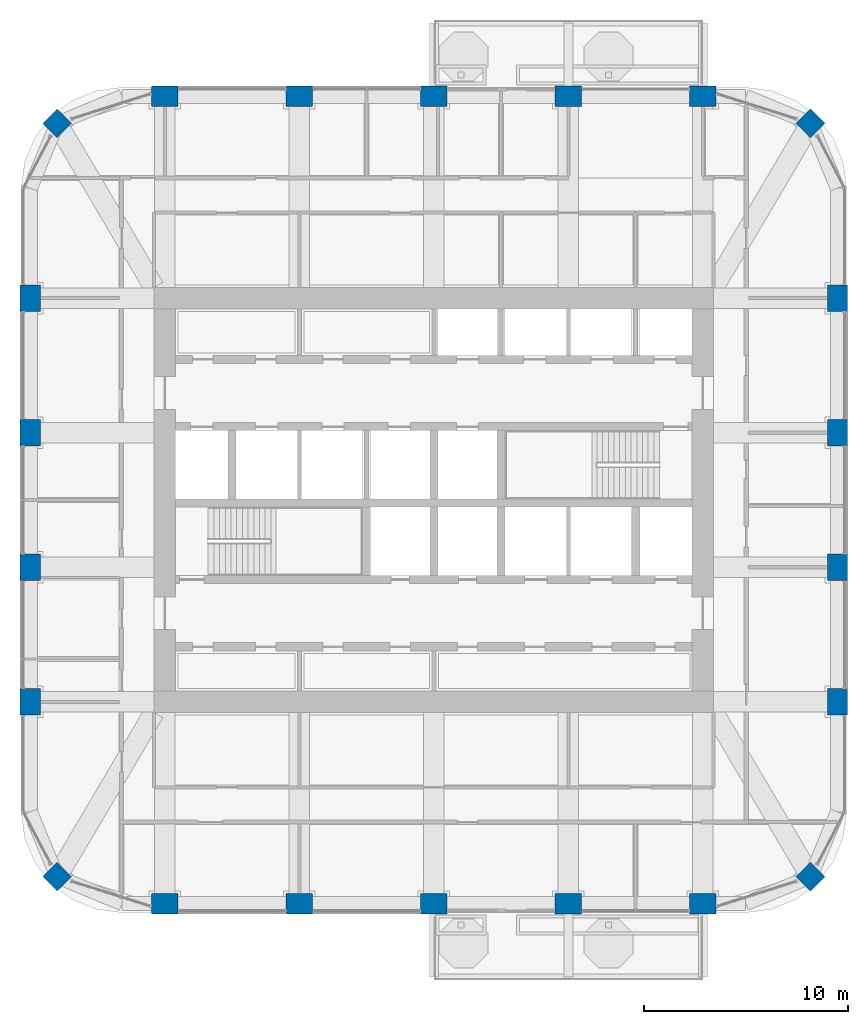
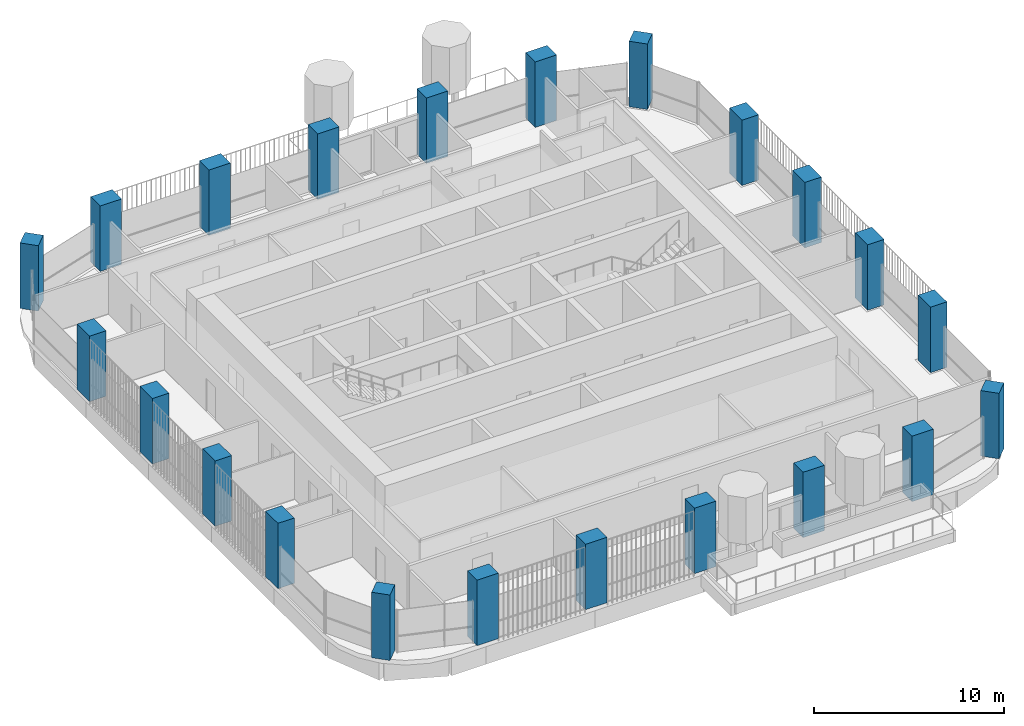
# One storey, part 1 of 21: 22 columns.
"""IFC4 building model written with IfcOpenShell, lengths in metres."""

from ifc_helpers import new_model, si_unit, direction, frame, origin, origin_2d, place, context, subcontext, project, spatial, rectangle, extrude, material, material_profile, profile_set, type_object, element, save


model = new_model("IFC4")

# Units and contexts
model_context = context("Model", 3, precision=1e-05, world=origin(), true_north=direction((0.0, 1.0)))
body_context = subcontext(model_context, "Body", "Model", "MODEL_VIEW")
ifc_project = project(units=[si_unit("LENGTHUNIT", "METRE"), si_unit("AREAUNIT", "SQUARE_METRE"), si_unit("VOLUMEUNIT", "CUBIC_METRE"), si_unit("PLANEANGLEUNIT", "RADIAN"), si_unit("MASSUNIT", "GRAM", prefix="KILO")], contexts=[model_context])

# Site, building, storey
site_placement = place(None, origin())
site = spatial("IfcSite", under=ifc_project, at=site_placement, CompositionType="ELEMENT")
building_placement = place(site_placement, origin())
building = spatial("IfcBuilding", under=site, at=building_placement, Name="Cobogo Forest Laboratory Tower", CompositionType="ELEMENT")
storey_placement = place(building_placement, frame((0.0, 0.0, 241.800048828125)))
storey = spatial("IfcBuildingStorey", under=building, at=storey_placement, Name="L55", CompositionType="ELEMENT", Elevation=241.800048828125)

# Columns
ifc_material = material(Name="Concrete HA-50 (C50/60)", Category="concrete")
ifc_material_profile_1 = material_profile(ifc_material, rectangle(XDim=1.300048828125, YDim=1.0, at=origin_2d()), Name="RC 1000x1300")
ifc_profile_set_1 = profile_set([ifc_material_profile_1], Name="Concrete HA-50 (C50/60)")
column_type_1 = type_object("IfcColumnType", Name="Blade column 1000x1300", PredefinedType="COLUMN", material=ifc_profile_set_1)
for number, where, z_axis, x_axis, name in (
    (1, (13.199951171875, 3.300048828125, 0.0), (0.0, 0.0, 1.0), (1.0, 0.0, 0.0), "Column 3-A.1 L55"),
    (2, (19.800048828125, 3.300048828125, 0.0), (0.0, 0.0, 1.0), (1.0, 0.0, 0.0), "Column 4-A.1 L55"),
    (3, (26.39990234375, 3.300048828125, 0.0), (0.0, 0.0, 1.0), (1.0, 0.0, 0.0), "Column 5-A.1 L55"),
    (4, (33.0, 3.300048828125, 0.0), (0.0, 0.0, 1.0), (1.0, 0.0, 0.0), "Column 6-A.1 L55"),
    (5, (39.60009765625, 3.300048828125, 0.0), (0.0, 0.0, 1.0), (1.0, 0.0, 0.0), "Column 7-A.1 L55"),
    (6, (6.60009765625, 13.199951171875, 0.0), (0.0, 0.0, 1.0), (0.0, 1.0, 0.0), "Column 2-C L55"),
    (7, (46.199951171875, 13.199951171875, 0.0), (0.0, 0.0, 1.0), (0.0, 1.0, 0.0), "Column 8-C L55"),
    (8, (6.60009765625, 19.800048828125, 0.0), (0.0, 0.0, 1.0), (0.0, 1.0, 0.0), "Column 2-D L55"),
    (9, (46.199951171875, 19.800048828125, 0.0), (0.0, 0.0, 1.0), (0.0, 1.0, 0.0), "Column 8-D L55"),
    (10, (6.60009765625, 26.39990234375, 0.0), (0.0, 0.0, 1.0), (0.0, 1.0, 0.0), "Column 2-E L55"),
    (11, (46.199951171875, 26.39990234375, 0.0), (0.0, 0.0, 1.0), (0.0, 1.0, 0.0), "Column 8-E L55"),
    (12, (6.60009765625, 33.0, 0.0), (0.0, 0.0, 1.0), (0.0, 1.0, 0.0), "Column 2-F L55"),
    (13, (46.199951171875, 33.0, 0.0), (0.0, 0.0, 1.0), (0.0, 1.0, 0.0), "Column 8-F L55"),
    (14, (13.199951171875, 42.89990234375, 0.0), (0.0, 0.0, 1.0), (1.0, 0.0, 0.0), "Column 3-G.1 L55"),
    (15, (19.800048828125, 42.89990234375, 0.0), (0.0, 0.0, 1.0), (1.0, 0.0, 0.0), "Column 4-G.1 L55"),
    (16, (26.39990234375, 42.89990234375, 0.0), (0.0, 0.0, 1.0), (1.0, 0.0, 0.0), "Column 5-G.1 L55"),
    (17, (33.0, 42.89990234375, 0.0), (0.0, 0.0, 1.0), (1.0, 0.0, 0.0), "Column 6-G.1 L55"),
    (18, (39.60009765625, 42.89990234375, 0.0), (0.0, 0.0, 1.0), (1.0, 0.0, 0.0), "Column 7-G.1 L55"),
):
    element("IfcColumn", number, at=place(storey_placement, frame(where, z_axis=z_axis, x_axis=x_axis)), inside=storey, type_object=column_type_1, Name=name, PredefinedType="COLUMN", context=body_context, shape_type="SweptSolid", body=[
        extrude(rectangle(XDim=1.300048828125, YDim=1.0, at=origin_2d()), origin(), (0.0, 0.0, 1.0), 4.199951171875),
    ])
ifc_material_profile_2 = material_profile(ifc_material, rectangle(XDim=1.0, YDim=1.0, at=origin_2d()), Name="RC 1000x1000")
ifc_profile_set_2 = profile_set([ifc_material_profile_2], Name="Concrete HA-50 (C50/60)")
column_type_2 = type_object("IfcColumnType", Name="Column 1000x1000", PredefinedType="COLUMN", material=ifc_profile_set_2)
for number, where, z_axis, x_axis, name in (
    (19, (7.91796875, 4.617919921875, 0.0), (0.0, 0.0, 1.0), (0.707106781187, 0.707106781187, 0.0), "Column CNR-SW L55"),
    (20, (44.882080078125, 4.617919921875, 0.0), (0.0, 0.0, 1.0), (0.707106781187, 0.707106781187, 0.0), "Column CNR-SE L55"),
    (21, (7.91796875, 41.58203125, 0.0), (0.0, 0.0, 1.0), (0.707106781187, 0.707106781187, 0.0), "Column CNR-NW L55"),
    (22, (44.882080078125, 41.58203125, 0.0), (0.0, 0.0, 1.0), (0.707106781187, 0.707106781187, 0.0), "Column CNR-NE L55"),
):
    element("IfcColumn", number, at=place(storey_placement, frame(where, z_axis=z_axis, x_axis=x_axis)), inside=storey, type_object=column_type_2, Name=name, PredefinedType="COLUMN", context=body_context, shape_type="SweptSolid", body=[
        extrude(rectangle(XDim=1.0, YDim=1.0, at=origin_2d()), origin(), (0.0, 0.0, 1.0), 4.199951171875),
    ])

save(model, "model.ifc")
